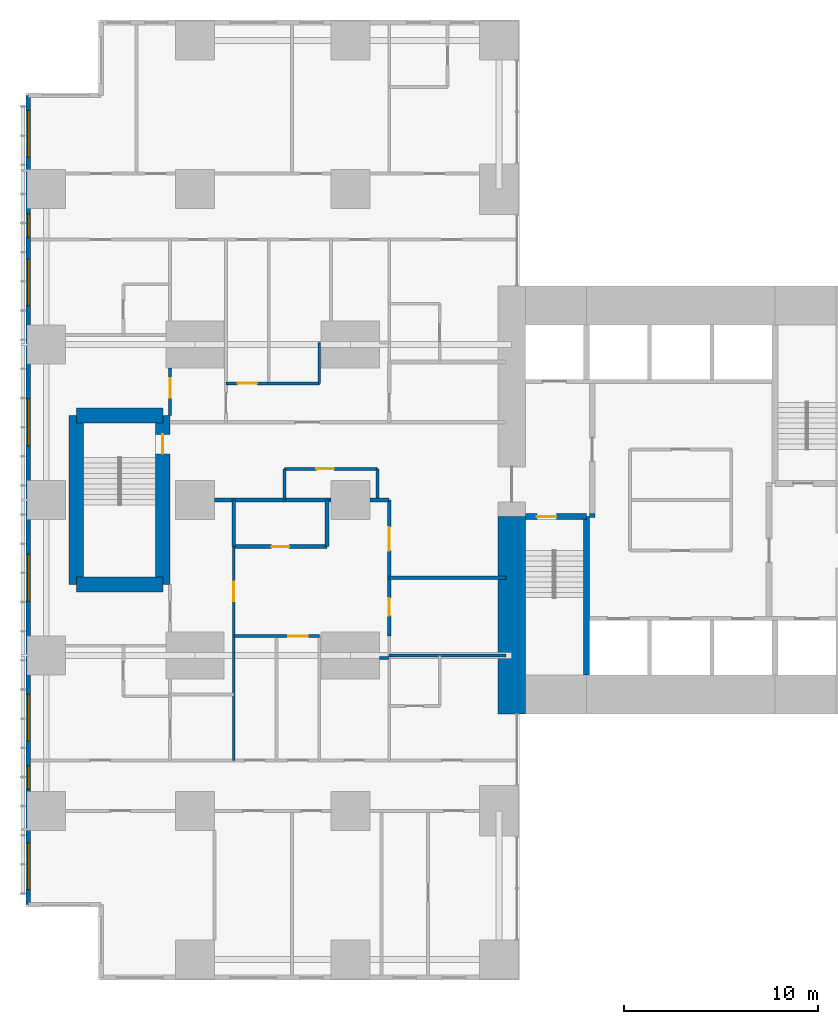
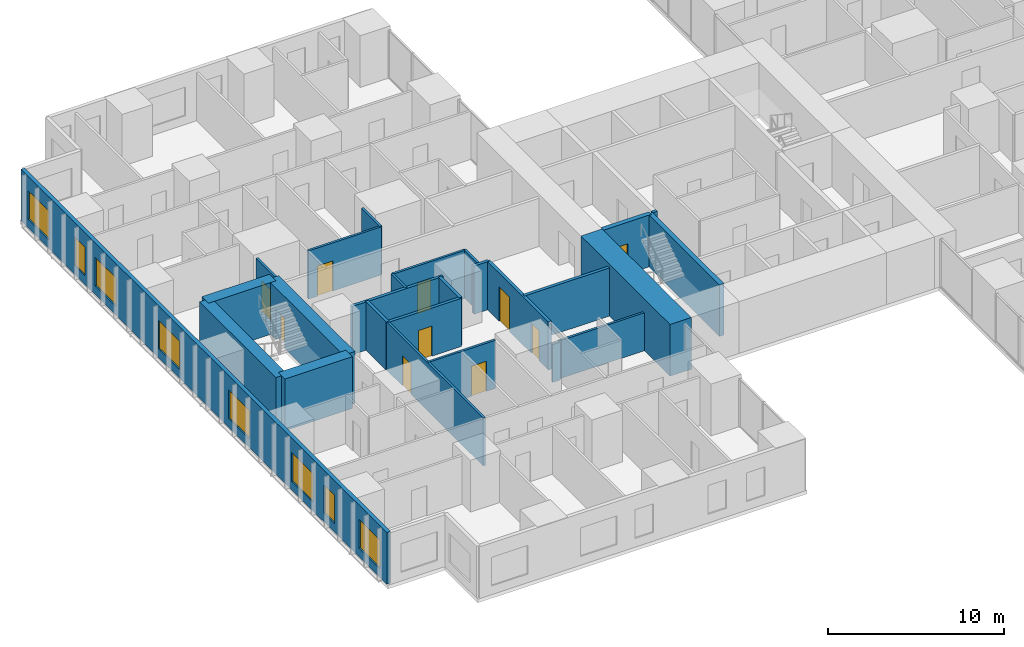
# One storey, part 13 of 20: 26 walls, 10 doors, 8 windows, 18 openings.
"""IFC4 building model written with IfcOpenShell, lengths in metres."""

from ifc_helpers import new_model, si_unit, direction, frame, frame_2d, origin, place, context, subcontext, project, spatial, rectangle, extrude, material, layer, layer_set, type_object, element, fill, save


model = new_model("IFC4")

# Units and contexts
model_context = context("Model", 3, precision=1e-05, world=origin(), true_north=direction((0.0, 1.0)))
body_context = subcontext(model_context, "Body", "Model", "MODEL_VIEW")
ifc_project = project(units=[si_unit("LENGTHUNIT", "METRE"), si_unit("AREAUNIT", "SQUARE_METRE"), si_unit("VOLUMEUNIT", "CUBIC_METRE"), si_unit("PLANEANGLEUNIT", "RADIAN"), si_unit("MASSUNIT", "GRAM", prefix="KILO")], contexts=[model_context])

# Site, building, storey
site_placement = place(None, origin())
site = spatial("IfcSite", under=ifc_project, at=site_placement, CompositionType="ELEMENT")
building_placement = place(site_placement, origin())
building = spatial("IfcBuilding", under=site, at=building_placement, Name="Cleftline Residences", CompositionType="ELEMENT")
storey_placement = place(building_placement, frame((0.0, 0.0, 40.39990234375)))
storey = spatial("IfcBuildingStorey", under=building, at=storey_placement, Name="L09", CompositionType="ELEMENT", Elevation=40.39990234375)

# Walls
ifc_material_1 = material(Name="Concrete B70", Category="concrete")
ifc_layer_1 = layer(ifc_material_1, 1.39990234375)
ifc_layer_set_1 = layer_set([ifc_layer_1], Name="CORE WALL 1400")
wall_type_1 = type_object("IfcWallType", Name="CORE WALL 1400", PredefinedType="SHEAR", material=ifc_layer_set_1)
wall_1_placement = place(storey_placement, frame((24.300048828125, 13.0, 0.0), z_axis=(0.0, 0.0, 1.0), x_axis=(0.0, 1.0, 0.0)))
element("IfcWall", 1, at=wall_1_placement, inside=storey, type_object=wall_type_1, Name="Core wall W0", PredefinedType="SHEAR", context=body_context, shape_type="SweptSolid", body=[
    extrude(rectangle(XDim=10.14990234375, YDim=1.39990234375, at=frame_2d((5.074951171875, 0.0))), origin(), (0.0, 0.0, 1.0), 3.60009765625),
])
ifc_material_2 = material(Name="Concrete B70", Category="concrete")
ifc_layer_2 = layer(ifc_material_2, 0.300048828125)
ifc_layer_set_2 = layer_set([ifc_layer_2], Name="CORE WALL 300")
wall_type_2 = type_object("IfcWallType", Name="CORE WALL 300", PredefinedType="SHEAR", material=ifc_layer_set_2)
wall_2_placement = place(storey_placement, frame((28.14990234375, 15.0, 0.0), z_axis=(0.0, 0.0, 1.0), x_axis=(0.0, 1.0, 0.0)))
element("IfcWall", 2, at=wall_2_placement, inside=storey, type_object=wall_type_2, Name="Core wall SA-E", PredefinedType="SHEAR", context=body_context, shape_type="SweptSolid", body=[
    extrude(rectangle(XDim=8.14990234375, YDim=0.300048828125, at=frame_2d((4.074951171875, 0.0))), origin(), (0.0, 0.0, 1.0), 3.60009765625),
])

# Wall, opening, door
wall_3_placement = place(storey_placement, frame((25.0, 23.14990234375, 0.0), z_axis=(0.0, 0.0, 1.0), x_axis=(1.0, 0.0, 0.0)))
wall_3 = element("IfcWall", 3, at=wall_3_placement, inside=storey, type_object=wall_type_2, Name="Core wall SA-N", PredefinedType="SHEAR", context=body_context, shape_type="SweptSolid", body=[
    extrude(rectangle(XDim=3.14990234375, YDim=0.300048828125, at=frame_2d((1.574951171875, 0.0))), origin(), (0.0, 0.0, 1.0), 3.60009765625),
])
opening_1_placement = place(wall_3_placement, frame((0.60009765625, 0.0, 0.0)))
opening_1 = element("IfcOpeningElement", 4, at=opening_1_placement, cuts=wall_3, Name="Opening D5", PredefinedType="OPENING", context=body_context, shape_type="SweptSolid", body=[
    extrude(rectangle(XDim=1.0, YDim=2.10009765625, at=frame_2d((0.5, 1.050048828125))), frame((0.0, 0.159912109375, 0.0), z_axis=(0.0, -1.0, 0.0), x_axis=(1.0, 0.0, 0.0)), (0.0, 0.0, 1.0), 0.320068359375),
])
ifc_material_3 = material(Name="Steel", Category="steel")
door_type_1 = type_object("IfcDoorType", Name="STAIR DOOR 1000X2100", OperationType="SINGLE_SWING_LEFT", PredefinedType="DOOR", material=ifc_material_3)
door_1_placement = place(opening_1_placement, origin())
door_1 = element("IfcDoor", 5, at=door_1_placement, inside=storey, type_object=door_type_1, Name="Stair A door", OperationType="SINGLE_SWING_RIGHT", OverallHeight=2.10009765625, OverallWidth=1.0, PredefinedType="DOOR", context=body_context, shape_type="SweptSolid", body=[
    extrude(rectangle(XDim=1.0, YDim=2.10009765625, at=frame_2d((0.5, 1.050048828125))), frame((0.0, 0.02490234375, 0.0), z_axis=(0.0, -1.0, 0.0), x_axis=(1.0, 0.0, 0.0)), (0.0, 0.0, 1.0), 0.050048828125),
])
fill(opening_1, door_1)

# Wall, openings, windows
ifc_material_4 = material(Name="Rendered reinforced concrete blockwork", Category="masonry")
ifc_layer_3 = layer(ifc_material_4, 0.25)
ifc_layer_set_3 = layer_set([ifc_layer_3], Name="EXTERNAL WALL 250")
wall_type_3 = type_object("IfcWallType", Name="EXTERNAL WALL 250", PredefinedType="SOLIDWALL", material=ifc_layer_set_3)
wall_4_placement = place(storey_placement, frame((-0.574951171875, 44.824951171875, 0.0), z_axis=(0.0, 0.0, 1.0), x_axis=(0.0, -1.0, 0.0)))
wall_4 = element("IfcWall", 6, at=wall_4_placement, inside=storey, type_object=wall_type_3, Name="External wall", PredefinedType="SOLIDWALL", context=body_context, shape_type="SweptSolid", body=[
    extrude(rectangle(XDim=41.64990234375, YDim=0.25, at=frame_2d((20.824951171875, 0.0))), origin(), (0.0, 0.0, 1.0), 3.60009765625),
])
opening_2_placement = place(wall_4_placement, frame((0.77490234375, 0.0, 0.60009765625)))
opening_2 = element("IfcOpeningElement", 7, at=opening_2_placement, cuts=wall_4, Name="Opening W6", PredefinedType="OPENING", context=body_context, shape_type="SweptSolid", body=[
    extrude(rectangle(XDim=2.39990234375, YDim=2.0, at=frame_2d((1.199951171875, 1.0))), frame((0.0, 0.135009765625, 0.0), z_axis=(0.0, -1.0, 0.0), x_axis=(1.0, 0.0, 0.0)), (0.0, 0.0, 1.0), 0.27001953125),
])
opening_3_placement = place(wall_4_placement, frame((6.10009765625, 0.0, 0.60009765625)))
opening_3 = element("IfcOpeningElement", 8, at=opening_3_placement, cuts=wall_4, Name="Opening W8", PredefinedType="OPENING", context=body_context, shape_type="SweptSolid", body=[
    extrude(rectangle(XDim=1.199951171875, YDim=2.0, at=frame_2d((0.60009765625, 1.0))), frame((0.0, 0.135009765625, 0.0), z_axis=(0.0, -1.0, 0.0), x_axis=(1.0, 0.0, 0.0)), (0.0, 0.0, 1.0), 0.27001953125),
])
opening_4_placement = place(wall_4_placement, frame((8.425048828125, 0.0, 0.60009765625)))
opening_4 = element("IfcOpeningElement", 9, at=opening_4_placement, cuts=wall_4, Name="Opening W6", PredefinedType="OPENING", context=body_context, shape_type="SweptSolid", body=[
    extrude(rectangle(XDim=2.39990234375, YDim=2.0, at=frame_2d((1.199951171875, 1.0))), frame((0.0, 0.135009765625, 0.0), z_axis=(0.0, -1.0, 0.0), x_axis=(1.0, 0.0, 0.0)), (0.0, 0.0, 1.0), 0.27001953125),
])
opening_5_placement = place(wall_4_placement, frame((15.625, 0.0, 0.60009765625)))
opening_5 = element("IfcOpeningElement", 10, at=opening_5_placement, cuts=wall_4, Name="Opening W6", PredefinedType="OPENING", context=body_context, shape_type="SweptSolid", body=[
    extrude(rectangle(XDim=2.39990234375, YDim=2.0, at=frame_2d((1.199951171875, 1.0))), frame((0.0, 0.135009765625, 0.0), z_axis=(0.0, -1.0, 0.0), x_axis=(1.0, 0.0, 0.0)), (0.0, 0.0, 1.0), 0.27001953125),
])
opening_6_placement = place(wall_4_placement, frame((23.625, 0.0, 0.60009765625)))
opening_6 = element("IfcOpeningElement", 11, at=opening_6_placement, cuts=wall_4, Name="Opening W6", PredefinedType="OPENING", context=body_context, shape_type="SweptSolid", body=[
    extrude(rectangle(XDim=2.39990234375, YDim=2.0, at=frame_2d((1.199951171875, 1.0))), frame((0.0, 0.135009765625, 0.0), z_axis=(0.0, -1.0, 0.0), x_axis=(1.0, 0.0, 0.0)), (0.0, 0.0, 1.0), 0.27001953125),
])
opening_7_placement = place(wall_4_placement, frame((30.824951171875, 0.0, 0.60009765625)))
opening_7 = element("IfcOpeningElement", 12, at=opening_7_placement, cuts=wall_4, Name="Opening W6", PredefinedType="OPENING", context=body_context, shape_type="SweptSolid", body=[
    extrude(rectangle(XDim=2.39990234375, YDim=2.0, at=frame_2d((1.199951171875, 1.0))), frame((0.0, 0.135009765625, 0.0), z_axis=(0.0, -1.0, 0.0), x_axis=(1.0, 0.0, 0.0)), (0.0, 0.0, 1.0), 0.27001953125),
])
opening_8_placement = place(wall_4_placement, frame((34.5, 0.0, 0.60009765625)))
opening_8 = element("IfcOpeningElement", 13, at=opening_8_placement, cuts=wall_4, Name="Opening W8", PredefinedType="OPENING", context=body_context, shape_type="SweptSolid", body=[
    extrude(rectangle(XDim=1.199951171875, YDim=2.0, at=frame_2d((0.60009765625, 1.0))), frame((0.0, 0.135009765625, 0.0), z_axis=(0.0, -1.0, 0.0), x_axis=(1.0, 0.0, 0.0)), (0.0, 0.0, 1.0), 0.27001953125),
])
opening_9_placement = place(wall_4_placement, frame((38.47509765625, 0.0, 0.60009765625)))
opening_9 = element("IfcOpeningElement", 14, at=opening_9_placement, cuts=wall_4, Name="Opening W6", PredefinedType="OPENING", context=body_context, shape_type="SweptSolid", body=[
    extrude(rectangle(XDim=2.39990234375, YDim=2.0, at=frame_2d((1.199951171875, 1.0))), frame((0.0, 0.135009765625, 0.0), z_axis=(0.0, -1.0, 0.0), x_axis=(1.0, 0.0, 0.0)), (0.0, 0.0, 1.0), 0.27001953125),
])
ifc_material_5 = material(Name="Aluminium frame, clear double glazing", Category="aluminium")
window_type_1 = type_object("IfcWindowType", Name="WINDOW 1200X2000", PartitioningType="DOUBLE_PANEL_VERTICAL", PredefinedType="WINDOW", material=ifc_material_5)
window_1_placement = place(opening_3_placement, origin())
window_1 = element("IfcWindow", 15, at=window_1_placement, inside=storey, type_object=window_type_1, Name="Window", OverallHeight=2.0, OverallWidth=1.199951171875, PartitioningType="SINGLE_PANEL", PredefinedType="WINDOW", context=body_context, shape_type="SweptSolid", body=[
    extrude(rectangle(XDim=1.199951171875, YDim=2.0, at=frame_2d((0.60009765625, 1.0))), frame((0.0, 0.030029296875, 0.0), z_axis=(0.0, -1.0, 0.0), x_axis=(1.0, 0.0, 0.0)), (0.0, 0.0, 1.0), 0.06005859375),
])
fill(opening_3, window_1)
window_2_placement = place(opening_8_placement, origin())
window_2 = element("IfcWindow", 16, at=window_2_placement, inside=storey, type_object=window_type_1, Name="Window", OverallHeight=2.0, OverallWidth=1.199951171875, PartitioningType="SINGLE_PANEL", PredefinedType="WINDOW", context=body_context, shape_type="SweptSolid", body=[
    extrude(rectangle(XDim=1.199951171875, YDim=2.0, at=frame_2d((0.60009765625, 1.0))), frame((0.0, 0.030029296875, 0.0), z_axis=(0.0, -1.0, 0.0), x_axis=(1.0, 0.0, 0.0)), (0.0, 0.0, 1.0), 0.06005859375),
])
fill(opening_8, window_2)
ifc_material_6 = material(Name="Aluminium frame, clear double glazing", Category="aluminium")
window_type_2 = type_object("IfcWindowType", Name="WINDOW 2400X2000", PartitioningType="DOUBLE_PANEL_VERTICAL", PredefinedType="WINDOW", material=ifc_material_6)
window_3_placement = place(opening_2_placement, origin())
window_3 = element("IfcWindow", 17, at=window_3_placement, inside=storey, type_object=window_type_2, Name="Window", OverallHeight=2.0, OverallWidth=2.39990234375, PartitioningType="SINGLE_PANEL", PredefinedType="WINDOW", context=body_context, shape_type="SweptSolid", body=[
    extrude(rectangle(XDim=2.39990234375, YDim=2.0, at=frame_2d((1.199951171875, 1.0))), frame((0.0, 0.030029296875, 0.0), z_axis=(0.0, -1.0, 0.0), x_axis=(1.0, 0.0, 0.0)), (0.0, 0.0, 1.0), 0.06005859375),
])
fill(opening_2, window_3)
window_4_placement = place(opening_4_placement, origin())
window_4 = element("IfcWindow", 18, at=window_4_placement, inside=storey, type_object=window_type_2, Name="Window", OverallHeight=2.0, OverallWidth=2.39990234375, PartitioningType="SINGLE_PANEL", PredefinedType="WINDOW", context=body_context, shape_type="SweptSolid", body=[
    extrude(rectangle(XDim=2.39990234375, YDim=2.0, at=frame_2d((1.199951171875, 1.0))), frame((0.0, 0.030029296875, 0.0), z_axis=(0.0, -1.0, 0.0), x_axis=(1.0, 0.0, 0.0)), (0.0, 0.0, 1.0), 0.06005859375),
])
fill(opening_4, window_4)
window_5_placement = place(opening_5_placement, origin())
window_5 = element("IfcWindow", 19, at=window_5_placement, inside=storey, type_object=window_type_2, Name="Window", OverallHeight=2.0, OverallWidth=2.39990234375, PartitioningType="SINGLE_PANEL", PredefinedType="WINDOW", context=body_context, shape_type="SweptSolid", body=[
    extrude(rectangle(XDim=2.39990234375, YDim=2.0, at=frame_2d((1.199951171875, 1.0))), frame((0.0, 0.030029296875, 0.0), z_axis=(0.0, -1.0, 0.0), x_axis=(1.0, 0.0, 0.0)), (0.0, 0.0, 1.0), 0.06005859375),
])
fill(opening_5, window_5)
window_6_placement = place(opening_6_placement, origin())
window_6 = element("IfcWindow", 20, at=window_6_placement, inside=storey, type_object=window_type_2, Name="Window", OverallHeight=2.0, OverallWidth=2.39990234375, PartitioningType="SINGLE_PANEL", PredefinedType="WINDOW", context=body_context, shape_type="SweptSolid", body=[
    extrude(rectangle(XDim=2.39990234375, YDim=2.0, at=frame_2d((1.199951171875, 1.0))), frame((0.0, 0.030029296875, 0.0), z_axis=(0.0, -1.0, 0.0), x_axis=(1.0, 0.0, 0.0)), (0.0, 0.0, 1.0), 0.06005859375),
])
fill(opening_6, window_6)
window_7_placement = place(opening_7_placement, origin())
window_7 = element("IfcWindow", 21, at=window_7_placement, inside=storey, type_object=window_type_2, Name="Window", OverallHeight=2.0, OverallWidth=2.39990234375, PartitioningType="SINGLE_PANEL", PredefinedType="WINDOW", context=body_context, shape_type="SweptSolid", body=[
    extrude(rectangle(XDim=2.39990234375, YDim=2.0, at=frame_2d((1.199951171875, 1.0))), frame((0.0, 0.030029296875, 0.0), z_axis=(0.0, -1.0, 0.0), x_axis=(1.0, 0.0, 0.0)), (0.0, 0.0, 1.0), 0.06005859375),
])
fill(opening_7, window_7)
window_8_placement = place(opening_9_placement, origin())
window_8 = element("IfcWindow", 22, at=window_8_placement, inside=storey, type_object=window_type_2, Name="Window", OverallHeight=2.0, OverallWidth=2.39990234375, PartitioningType="SINGLE_PANEL", PredefinedType="WINDOW", context=body_context, shape_type="SweptSolid", body=[
    extrude(rectangle(XDim=2.39990234375, YDim=2.0, at=frame_2d((1.199951171875, 1.0))), frame((0.0, 0.030029296875, 0.0), z_axis=(0.0, -1.0, 0.0), x_axis=(1.0, 0.0, 0.0)), (0.0, 0.0, 1.0), 0.06005859375),
])
fill(opening_9, window_8)

# Wall
ifc_material_7 = material(Name="Concrete blockwork, fire rated", Category="masonry")
ifc_layer_4 = layer(ifc_material_7, 0.199951171875)
ifc_layer_set_4 = layer_set([ifc_layer_4], Name="FIRE WALL 200")
wall_type_4 = type_object("IfcWallType", Name="FIRE WALL 200", PredefinedType="PARTITIONING", material=ifc_layer_set_4)
wall_5_placement = place(storey_placement, frame((18.0, 20.0, 0.0), z_axis=(0.0, 0.0, 1.0), x_axis=(1.0, 0.0, 0.0)))
element("IfcWall", 23, at=wall_5_placement, inside=storey, type_object=wall_type_4, Name="Fire separating wall", PredefinedType="PARTITIONING", context=body_context, shape_type="SweptSolid", body=[
    extrude(rectangle(XDim=6.0, YDim=0.199951171875, at=frame_2d((3.0, 0.0))), origin(), (0.0, 0.0, 1.0), 3.35009765625),
])

# Wall, opening, door
wall_6_placement = place(storey_placement, frame((10.0, 21.60009765625, 0.0), z_axis=(0.0, 0.0, 1.0), x_axis=(1.0, 0.0, 0.0)))
wall_6 = element("IfcWall", 24, at=wall_6_placement, inside=storey, type_object=wall_type_4, Name="Fire separating wall", PredefinedType="PARTITIONING", context=body_context, shape_type="SweptSolid", body=[
    extrude(rectangle(XDim=4.800048828125, YDim=0.199951171875, at=frame_2d((2.39990234375, 0.0))), origin(), (0.0, 0.0, 1.0), 3.35009765625),
])
opening_10_placement = place(wall_6_placement, frame((1.949951171875, 0.0, 0.0)))
opening_10 = element("IfcOpeningElement", 25, at=opening_10_placement, cuts=wall_6, Name="Opening D1F30", PredefinedType="OPENING", context=body_context, shape_type="SweptSolid", body=[
    extrude(rectangle(XDim=0.89990234375, YDim=2.10009765625, at=frame_2d((0.449951171875, 1.050048828125))), frame((0.0, 0.10986328125, 0.0), z_axis=(0.0, -1.0, 0.0), x_axis=(1.0, 0.0, 0.0)), (0.0, 0.0, 1.0), 0.219970703125),
])
ifc_material_8 = material(Name="Timber veneer on solid core", Category="wood")
door_type_2 = type_object("IfcDoorType", Name="DOOR 900X2100 EI 30", OperationType="SINGLE_SWING_LEFT", PredefinedType="DOOR", material=ifc_material_8)
door_2_placement = place(opening_10_placement, origin())
door_2 = element("IfcDoor", 26, at=door_2_placement, inside=storey, type_object=door_type_2, Name="Door to cloakroom wc", OperationType="SINGLE_SWING_LEFT", OverallHeight=2.10009765625, OverallWidth=0.89990234375, PredefinedType="DOOR", context=body_context, shape_type="SweptSolid", body=[
    extrude(rectangle(XDim=0.89990234375, YDim=2.10009765625, at=frame_2d((0.449951171875, 1.050048828125))), frame((0.0, 0.02490234375, 0.0), z_axis=(0.0, -1.0, 0.0), x_axis=(1.0, 0.0, 0.0)), (0.0, 0.0, 1.0), 0.050048828125),
])
fill(opening_10, door_2)

# Walls
wall_7_placement = place(storey_placement, frame((9.0, 24.0, 0.0), z_axis=(0.0, 0.0, 1.0), x_axis=(1.0, 0.0, 0.0)))
element("IfcWall", 27, at=wall_7_placement, inside=storey, type_object=wall_type_4, Name="Fire separating wall", PredefinedType="PARTITIONING", context=body_context, shape_type="SweptSolid", body=[
    extrude(rectangle(XDim=6.0, YDim=0.199951171875, at=frame_2d((3.0, 0.0))), origin(), (0.0, 0.0, 1.0), 3.35009765625),
])
wall_8_placement = place(storey_placement, frame((17.0, 24.0, 0.0), z_axis=(0.0, 0.0, 1.0), x_axis=(1.0, 0.0, 0.0)))
element("IfcWall", 28, at=wall_8_placement, inside=storey, type_object=wall_type_4, Name="Fire separating wall", PredefinedType="PARTITIONING", context=body_context, shape_type="SweptSolid", body=[
    extrude(rectangle(XDim=1.0, YDim=0.199951171875, at=frame_2d((0.5, 0.0))), origin(), (0.0, 0.0, 1.0), 3.35009765625),
])
for number, where, z_axis, x_axis, name in (
    (29, (10.0, 21.60009765625, 0.0), (0.0, 0.0, 1.0), (0.0, 1.0, 0.0), "Fire separating wall"),
    (30, (14.800048828125, 21.60009765625, 0.0), (0.0, 0.0, 1.0), (0.0, 1.0, 0.0), "Fire separating wall"),
):
    element("IfcWall", number, at=place(storey_placement, frame(where, z_axis=z_axis, x_axis=x_axis)), inside=storey, type_object=wall_type_4, Name=name, PredefinedType="PARTITIONING", context=body_context, shape_type="SweptSolid", body=[
        extrude(rectangle(XDim=2.39990234375, YDim=0.199951171875, at=frame_2d((1.199951171875, 0.0))), origin(), (0.0, 0.0, 1.0), 3.35009765625),
    ])

# Wall, openings, doors
wall_9_placement = place(storey_placement, frame((18.0, 17.0, 0.0), z_axis=(0.0, 0.0, 1.0), x_axis=(0.0, 1.0, 0.0)))
wall_9 = element("IfcWall", 31, at=wall_9_placement, inside=storey, type_object=wall_type_4, Name="Fire separating wall", PredefinedType="PARTITIONING", context=body_context, shape_type="SweptSolid", body=[
    extrude(rectangle(XDim=7.0, YDim=0.199951171875, at=frame_2d((3.5, 0.0))), origin(), (0.0, 0.0, 1.0), 3.35009765625),
])
opening_11_placement = place(wall_9_placement, frame((4.39990234375, 0.0, 0.0)))
opening_11 = element("IfcOpeningElement", 32, at=opening_11_placement, cuts=wall_9, Name="Opening D4", PredefinedType="OPENING", context=body_context, shape_type="SweptSolid", body=[
    extrude(rectangle(XDim=1.199951171875, YDim=2.39990234375, at=frame_2d((0.60009765625, 1.199951171875))), frame((0.0, 0.10986328125, 0.0), z_axis=(0.0, -1.0, 0.0), x_axis=(1.0, 0.0, 0.0)), (0.0, 0.0, 1.0), 0.219970703125),
])
opening_12_placement = place(wall_9_placement, frame((1.050048828125, 0.0, 0.0)))
opening_12 = element("IfcOpeningElement", 33, at=opening_12_placement, cuts=wall_9, Name="Opening D1F30", PredefinedType="OPENING", context=body_context, shape_type="SweptSolid", body=[
    extrude(rectangle(XDim=0.89990234375, YDim=2.10009765625, at=frame_2d((0.449951171875, 1.050048828125))), frame((0.0, 0.10986328125, 0.0), z_axis=(0.0, -1.0, 0.0), x_axis=(1.0, 0.0, 0.0)), (0.0, 0.0, 1.0), 0.219970703125),
])
ifc_material_9 = material(Name="Timber veneer on solid core", Category="wood")
door_type_3 = type_object("IfcDoorType", Name="APARTMENT ENTRANCE DOOR 1200X2400", OperationType="SINGLE_SWING_RIGHT", PredefinedType="DOOR", material=ifc_material_9)
door_3_placement = place(opening_11_placement, origin())
door_3 = element("IfcDoor", 34, at=door_3_placement, inside=storey, type_object=door_type_3, Name="Door to residence entrance foyer", OperationType="SINGLE_SWING_LEFT", OverallHeight=2.39990234375, OverallWidth=1.199951171875, PredefinedType="DOOR", context=body_context, shape_type="SweptSolid", body=[
    extrude(rectangle(XDim=1.199951171875, YDim=2.39990234375, at=frame_2d((0.60009765625, 1.199951171875))), frame((0.0, 0.02490234375, 0.0), z_axis=(0.0, -1.0, 0.0), x_axis=(1.0, 0.0, 0.0)), (0.0, 0.0, 1.0), 0.050048828125),
])
fill(opening_11, door_3)
door_4_placement = place(opening_12_placement, origin())
door_4 = element("IfcDoor", 35, at=door_4_placement, inside=storey, type_object=door_type_2, Name="Door to utility room", OperationType="SINGLE_SWING_RIGHT", OverallHeight=2.10009765625, OverallWidth=0.89990234375, PredefinedType="DOOR", context=body_context, shape_type="SweptSolid", body=[
    extrude(rectangle(XDim=0.89990234375, YDim=2.10009765625, at=frame_2d((0.449951171875, 1.050048828125))), frame((0.0, 0.02490234375, 0.0), z_axis=(0.0, -1.0, 0.0), x_axis=(1.0, 0.0, 0.0)), (0.0, 0.0, 1.0), 0.050048828125),
])
fill(opening_12, door_4)

# Walls
wall_10_placement = place(storey_placement, frame((28.300048828125, 23.199951171875, 0.0), z_axis=(0.0, 0.0, 1.0), x_axis=(1.0, 0.0, 0.0)))
element("IfcWall", 36, at=wall_10_placement, inside=storey, type_object=wall_type_4, Name="Fire separating wall", PredefinedType="PARTITIONING", context=body_context, shape_type="SweptSolid", body=[
    extrude(rectangle(XDim=0.300048828125, YDim=0.199951171875, at=frame_2d((0.14990234375, 0.0))), origin(), (0.0, 0.0, 1.0), 3.60009765625),
])
ifc_material_10 = material(Name="Gypsum board on steel studs", Category="steel")
ifc_layer_5 = layer(ifc_material_10, 0.14990234375)
ifc_layer_set_5 = layer_set([ifc_layer_5], Name="PARTITION 150")
wall_type_5 = type_object("IfcWallType", Name="PARTITION 150", PredefinedType="PARTITIONING", material=ifc_layer_set_5)
wall_11_placement = place(storey_placement, frame((17.5, 15.875, 0.0), z_axis=(0.0, 0.0, 1.0), x_axis=(1.0, 0.0, 0.0)))
element("IfcWall", 37, at=wall_11_placement, inside=storey, type_object=wall_type_5, Name="Partition", PredefinedType="PARTITIONING", context=body_context, shape_type="SweptSolid", body=[
    extrude(rectangle(XDim=0.5, YDim=0.14990234375, at=frame_2d((0.25, 0.0))), origin(), (0.0, 0.0, 1.0), 2.634033203125),
])
wall_12_placement = place(storey_placement, frame((18.0, 16.0, 0.0), z_axis=(0.0, 0.0, 1.0), x_axis=(1.0, 0.0, 0.0)))
element("IfcWall", 38, at=wall_12_placement, inside=storey, type_object=wall_type_5, Name="Partition", PredefinedType="PARTITIONING", context=body_context, shape_type="SweptSolid", body=[
    extrude(rectangle(XDim=6.0, YDim=0.14990234375, at=frame_2d((3.0, 0.0))), origin(), (0.0, 0.0, 1.0), 2.634033203125),
])

# Wall, opening, door
wall_13_placement = place(storey_placement, frame((10.0, 17.0, 0.0), z_axis=(0.0, 0.0, 1.0), x_axis=(1.0, 0.0, 0.0)))
wall_13 = element("IfcWall", 39, at=wall_13_placement, inside=storey, type_object=wall_type_5, Name="Partition", PredefinedType="PARTITIONING", context=body_context, shape_type="SweptSolid", body=[
    extrude(rectangle(XDim=4.39990234375, YDim=0.14990234375, at=frame_2d((2.199951171875, 0.0))), origin(), (0.0, 0.0, 1.0), 3.35009765625),
])
opening_13_placement = place(wall_13_placement, frame((2.800048828125, 0.0, 0.0)))
opening_13 = element("IfcOpeningElement", 40, at=opening_13_placement, cuts=wall_13, Name="Opening D2", PredefinedType="OPENING", context=body_context, shape_type="SweptSolid", body=[
    extrude(rectangle(XDim=1.0, YDim=2.10009765625, at=frame_2d((0.5, 1.050048828125))), frame((0.0, 0.0849609375, 0.0), z_axis=(0.0, -1.0, 0.0), x_axis=(1.0, 0.0, 0.0)), (0.0, 0.0, 1.0), 0.169921875),
])
ifc_material_11 = material(Name="Timber veneer on solid core", Category="wood")
door_type_4 = type_object("IfcDoorType", Name="DOOR 1000X2100", OperationType="SINGLE_SWING_LEFT", PredefinedType="DOOR", material=ifc_material_11)
door_5_placement = place(opening_13_placement, origin())
door_5 = element("IfcDoor", 41, at=door_5_placement, inside=storey, type_object=door_type_4, Name="Door to residence passage", OperationType="SINGLE_SWING_LEFT", OverallHeight=2.10009765625, OverallWidth=1.0, PredefinedType="DOOR", context=body_context, shape_type="SweptSolid", body=[
    extrude(rectangle(XDim=1.0, YDim=2.10009765625, at=frame_2d((0.5, 1.050048828125))), frame((0.0, 0.02490234375, 0.0), z_axis=(0.0, -1.0, 0.0), x_axis=(1.0, 0.0, 0.0)), (0.0, 0.0, 1.0), 0.050048828125),
])
fill(opening_13, door_5)

wall_14_placement = place(storey_placement, frame((12.60009765625, 25.60009765625, 0.0), z_axis=(0.0, 0.0, 1.0), x_axis=(1.0, 0.0, 0.0)))
wall_14 = element("IfcWall", 42, at=wall_14_placement, inside=storey, type_object=wall_type_5, Name="Partition", PredefinedType="PARTITIONING", context=body_context, shape_type="SweptSolid", body=[
    extrude(rectangle(XDim=4.7998046875, YDim=0.14990234375, at=frame_2d((2.39990234375, 0.0))), origin(), (0.0, 0.0, 1.0), 3.35009765625),
])
opening_14_placement = place(wall_14_placement, frame((1.64990234375, 0.0, 0.0)))
opening_14 = element("IfcOpeningElement", 43, at=opening_14_placement, cuts=wall_14, Name="Opening D1", PredefinedType="OPENING", context=body_context, shape_type="SweptSolid", body=[
    extrude(rectangle(XDim=0.89990234375, YDim=2.10009765625, at=frame_2d((0.449951171875, 1.050048828125))), frame((0.0, 0.0849609375, 0.0), z_axis=(0.0, -1.0, 0.0), x_axis=(1.0, 0.0, 0.0)), (0.0, 0.0, 1.0), 0.169921875),
])
ifc_material_12 = material(Name="Timber veneer on solid core", Category="wood")
door_type_5 = type_object("IfcDoorType", Name="DOOR 900X2100", OperationType="SINGLE_SWING_LEFT", PredefinedType="DOOR", material=ifc_material_12)
door_6_placement = place(opening_14_placement, origin())
door_6 = element("IfcDoor", 44, at=door_6_placement, inside=storey, type_object=door_type_5, Name="Door to bulky waste room", OperationType="SINGLE_SWING_RIGHT", OverallHeight=2.10009765625, OverallWidth=0.89990234375, PredefinedType="DOOR", context=body_context, shape_type="SweptSolid", body=[
    extrude(rectangle(XDim=0.89990234375, YDim=2.10009765625, at=frame_2d((0.449951171875, 1.050048828125))), frame((0.0, 0.02490234375, 0.0), z_axis=(0.0, -1.0, 0.0), x_axis=(1.0, 0.0, 0.0)), (0.0, 0.0, 1.0), 0.050048828125),
])
fill(opening_14, door_6)

wall_15_placement = place(storey_placement, frame((9.60009765625, 30.0, 0.0), z_axis=(0.0, 0.0, 1.0), x_axis=(1.0, 0.0, 0.0)))
wall_15 = element("IfcWall", 45, at=wall_15_placement, inside=storey, type_object=wall_type_5, Name="Partition", PredefinedType="PARTITIONING", context=body_context, shape_type="SweptSolid", body=[
    extrude(rectangle(XDim=4.7998046875, YDim=0.14990234375, at=frame_2d((2.39990234375, 0.0))), origin(), (0.0, 0.0, 1.0), 3.35009765625),
])
opening_15_placement = place(wall_15_placement, frame((0.60009765625, 0.0, 0.0)))
opening_15 = element("IfcOpeningElement", 46, at=opening_15_placement, cuts=wall_15, Name="Opening D2", PredefinedType="OPENING", context=body_context, shape_type="SweptSolid", body=[
    extrude(rectangle(XDim=1.0, YDim=2.10009765625, at=frame_2d((0.5, 1.050048828125))), frame((0.0, 0.0849609375, 0.0), z_axis=(0.0, -1.0, 0.0), x_axis=(1.0, 0.0, 0.0)), (0.0, 0.0, 1.0), 0.169921875),
])
door_7_placement = place(opening_15_placement, origin())
door_7 = element("IfcDoor", 47, at=door_7_placement, inside=storey, type_object=door_type_4, Name="Door to residence passage", OperationType="SINGLE_SWING_RIGHT", OverallHeight=2.10009765625, OverallWidth=1.0, PredefinedType="DOOR", context=body_context, shape_type="SweptSolid", body=[
    extrude(rectangle(XDim=1.0, YDim=2.10009765625, at=frame_2d((0.5, 1.050048828125))), frame((0.0, 0.02490234375, 0.0), z_axis=(0.0, -1.0, 0.0), x_axis=(1.0, 0.0, 0.0)), (0.0, 0.0, 1.0), 0.050048828125),
])
fill(opening_15, door_7)

wall_16_placement = place(storey_placement, frame((6.72509765625, 28.35009765625, 0.0), z_axis=(0.0, 0.0, 1.0), x_axis=(0.0, 1.0, 0.0)))
wall_16 = element("IfcWall", 48, at=wall_16_placement, inside=storey, type_object=wall_type_5, Name="Partition", PredefinedType="PARTITIONING", context=body_context, shape_type="SweptSolid", body=[
    extrude(rectangle(XDim=2.449951171875, YDim=0.14990234375, at=frame_2d((1.22509765625, 0.0))), origin(), (0.0, 0.0, 1.0), 3.35009765625),
])
opening_16_placement = place(wall_16_placement, frame((0.91259765625, 0.0, 0.0)))
opening_16 = element("IfcOpeningElement", 49, at=opening_16_placement, cuts=wall_16, Name="Opening D2", PredefinedType="OPENING", context=body_context, shape_type="SweptSolid", body=[
    extrude(rectangle(XDim=1.0, YDim=2.10009765625, at=frame_2d((0.5, 1.050048828125))), frame((0.0, 0.0849609375, 0.0), z_axis=(0.0, -1.0, 0.0), x_axis=(1.0, 0.0, 0.0)), (0.0, 0.0, 1.0), 0.169921875),
])
door_8_placement = place(opening_16_placement, origin())
door_8 = element("IfcDoor", 50, at=door_8_placement, inside=storey, type_object=door_type_4, Name="Door to staff bedroom", OperationType="SINGLE_SWING_LEFT", OverallHeight=2.10009765625, OverallWidth=1.0, PredefinedType="DOOR", context=body_context, shape_type="SweptSolid", body=[
    extrude(rectangle(XDim=1.0, YDim=2.10009765625, at=frame_2d((0.5, 1.050048828125))), frame((0.0, 0.02490234375, 0.0), z_axis=(0.0, -1.0, 0.0), x_axis=(1.0, 0.0, 0.0)), (0.0, 0.0, 1.0), 0.050048828125),
])
fill(opening_16, door_8)

wall_17_placement = place(storey_placement, frame((10.0, 10.60009765625, 0.0), z_axis=(0.0, 0.0, 1.0), x_axis=(0.0, 1.0, 0.0)))
wall_17 = element("IfcWall", 51, at=wall_17_placement, inside=storey, type_object=wall_type_5, Name="Partition", PredefinedType="PARTITIONING", context=body_context, shape_type="SweptSolid", body=[
    extrude(rectangle(XDim=11.0, YDim=0.14990234375, at=frame_2d((5.5, 0.0))), origin(), (0.0, 0.0, 1.0), 3.35009765625),
])
opening_17_placement = place(wall_17_placement, frame((8.199951171875, 0.0, 0.0)))
opening_17 = element("IfcOpeningElement", 52, at=opening_17_placement, cuts=wall_17, Name="Opening D2F30", PredefinedType="OPENING", context=body_context, shape_type="SweptSolid", body=[
    extrude(rectangle(XDim=1.0, YDim=2.10009765625, at=frame_2d((0.5, 1.050048828125))), frame((0.0, 0.0849609375, 0.0), z_axis=(0.0, -1.0, 0.0), x_axis=(1.0, 0.0, 0.0)), (0.0, 0.0, 1.0), 0.169921875),
])
ifc_material_13 = material(Name="Timber veneer on solid core", Category="wood")
door_type_6 = type_object("IfcDoorType", Name="DOOR 1000X2100 EI 30", OperationType="SINGLE_SWING_LEFT", PredefinedType="DOOR", material=ifc_material_13)
door_9_placement = place(opening_17_placement, origin())
door_9 = element("IfcDoor", 53, at=door_9_placement, inside=storey, type_object=door_type_6, Name="Door to residence lobby", OperationType="SINGLE_SWING_LEFT", OverallHeight=2.10009765625, OverallWidth=1.0, PredefinedType="DOOR", context=body_context, shape_type="SweptSolid", body=[
    extrude(rectangle(XDim=1.0, YDim=2.10009765625, at=frame_2d((0.5, 1.050048828125))), frame((0.0, 0.02490234375, 0.0), z_axis=(0.0, -1.0, 0.0), x_axis=(1.0, 0.0, 0.0)), (0.0, 0.0, 1.0), 0.050048828125),
])
fill(opening_17, door_9)

# Walls
wall_18_placement = place(storey_placement, frame((12.60009765625, 24.0, 0.0), z_axis=(0.0, 0.0, 1.0), x_axis=(0.0, 1.0, 0.0)))
element("IfcWall", 54, at=wall_18_placement, inside=storey, type_object=wall_type_5, Name="Partition", PredefinedType="PARTITIONING", context=body_context, shape_type="SweptSolid", body=[
    extrude(rectangle(XDim=1.60009765625, YDim=0.14990234375, at=frame_2d((0.800048828125, 0.0))), origin(), (0.0, 0.0, 1.0), 3.35009765625),
])
wall_19_placement = place(storey_placement, frame((14.39990234375, 30.0, 0.0), z_axis=(0.0, 0.0, 1.0), x_axis=(0.0, 1.0, 0.0)))
element("IfcWall", 55, at=wall_19_placement, inside=storey, type_object=wall_type_5, Name="Partition", PredefinedType="PARTITIONING", context=body_context, shape_type="SweptSolid", body=[
    extrude(rectangle(XDim=2.10009765625, YDim=0.14990234375, at=frame_2d((1.050048828125, 0.0))), origin(), (0.0, 0.0, 1.0), 3.35009765625),
])
wall_20_placement = place(storey_placement, frame((17.39990234375, 24.0, 0.0), z_axis=(0.0, 0.0, 1.0), x_axis=(0.0, 1.0, 0.0)))
element("IfcWall", 56, at=wall_20_placement, inside=storey, type_object=wall_type_5, Name="Partition", PredefinedType="PARTITIONING", context=body_context, shape_type="SweptSolid", body=[
    extrude(rectangle(XDim=1.60009765625, YDim=0.14990234375, at=frame_2d((0.800048828125, 0.0))), origin(), (0.0, 0.0, 1.0), 3.35009765625),
])
ifc_material_14 = material(Name="Concrete B70", Category="concrete")
ifc_layer_6 = layer(ifc_material_14, 0.75)
ifc_layer_set_6 = layer_set([ifc_layer_6], Name="SHEAR WALL 750")
wall_type_6 = type_object("IfcWallType", Name="SHEAR WALL 750", PredefinedType="SHEAR", material=ifc_layer_set_6)
wall_21_placement = place(storey_placement, frame((1.89990234375, 19.64990234375, 0.0), z_axis=(0.0, 0.0, 1.0), x_axis=(1.0, 0.0, 0.0)))
element("IfcWall", 57, at=wall_21_placement, inside=storey, type_object=wall_type_6, Name="Wing shear wall", PredefinedType="SHEAR", context=body_context, shape_type="SweptSolid", body=[
    extrude(rectangle(XDim=4.4501953125, YDim=0.75, at=frame_2d((2.22509765625, 0.0))), origin(), (0.0, 0.0, 1.0), 3.60009765625),
])

# Wall, opening, door
wall_22_placement = place(storey_placement, frame((6.35009765625, 19.64990234375, 0.0), z_axis=(0.0, 0.0, 1.0), x_axis=(0.0, 1.0, 0.0)))
wall_22 = element("IfcWall", 58, at=wall_22_placement, inside=storey, type_object=wall_type_6, Name="Wing shear wall", PredefinedType="SHEAR", context=body_context, shape_type="SweptSolid", body=[
    extrude(rectangle(XDim=8.7001953125, YDim=0.75, at=frame_2d((4.35009765625, 0.0))), origin(), (0.0, 0.0, 1.0), 3.60009765625),
])
opening_18_placement = place(wall_22_placement, frame((6.72509765625, 0.0, 0.0)))
opening_18 = element("IfcOpeningElement", 59, at=opening_18_placement, cuts=wall_22, Name="Opening D5", PredefinedType="OPENING", context=body_context, shape_type="SweptSolid", body=[
    extrude(rectangle(XDim=1.0, YDim=2.10009765625, at=frame_2d((0.5, 1.050048828125))), frame((0.0, 0.385009765625, 0.0), z_axis=(0.0, -1.0, 0.0), x_axis=(1.0, 0.0, 0.0)), (0.0, 0.0, 1.0), 0.77001953125),
])
door_10_placement = place(opening_18_placement, origin())
door_10 = element("IfcDoor", 60, at=door_10_placement, inside=storey, type_object=door_type_1, Name="Stair W door", OperationType="SINGLE_SWING_LEFT", OverallHeight=2.10009765625, OverallWidth=1.0, PredefinedType="DOOR", context=body_context, shape_type="SweptSolid", body=[
    extrude(rectangle(XDim=1.0, YDim=2.10009765625, at=frame_2d((0.5, 1.050048828125))), frame((0.0, 0.02490234375, 0.0), z_axis=(0.0, -1.0, 0.0), x_axis=(1.0, 0.0, 0.0)), (0.0, 0.0, 1.0), 0.050048828125),
])
fill(opening_18, door_10)

# Walls
wall_23_placement = place(storey_placement, frame((6.35009765625, 28.35009765625, 0.0), z_axis=(0.0, 0.0, 1.0), x_axis=(-1.0, 0.0, 0.0)))
element("IfcWall", 61, at=wall_23_placement, inside=storey, type_object=wall_type_6, Name="Wing shear wall", PredefinedType="SHEAR", context=body_context, shape_type="SweptSolid", body=[
    extrude(rectangle(XDim=4.4501953125, YDim=0.75, at=frame_2d((2.22509765625, 0.0))), origin(), (0.0, 0.0, 1.0), 3.60009765625),
])
wall_24_placement = place(storey_placement, frame((1.89990234375, 28.35009765625, 0.0), z_axis=(0.0, 0.0, 1.0), x_axis=(0.0, -1.0, 0.0)))
element("IfcWall", 62, at=wall_24_placement, inside=storey, type_object=wall_type_6, Name="Wing shear wall", PredefinedType="SHEAR", context=body_context, shape_type="SweptSolid", body=[
    extrude(rectangle(XDim=8.7001953125, YDim=0.75, at=frame_2d((4.35009765625, 0.0))), origin(), (0.0, 0.0, 1.0), 3.60009765625),
])

save(model, "model.ifc")
